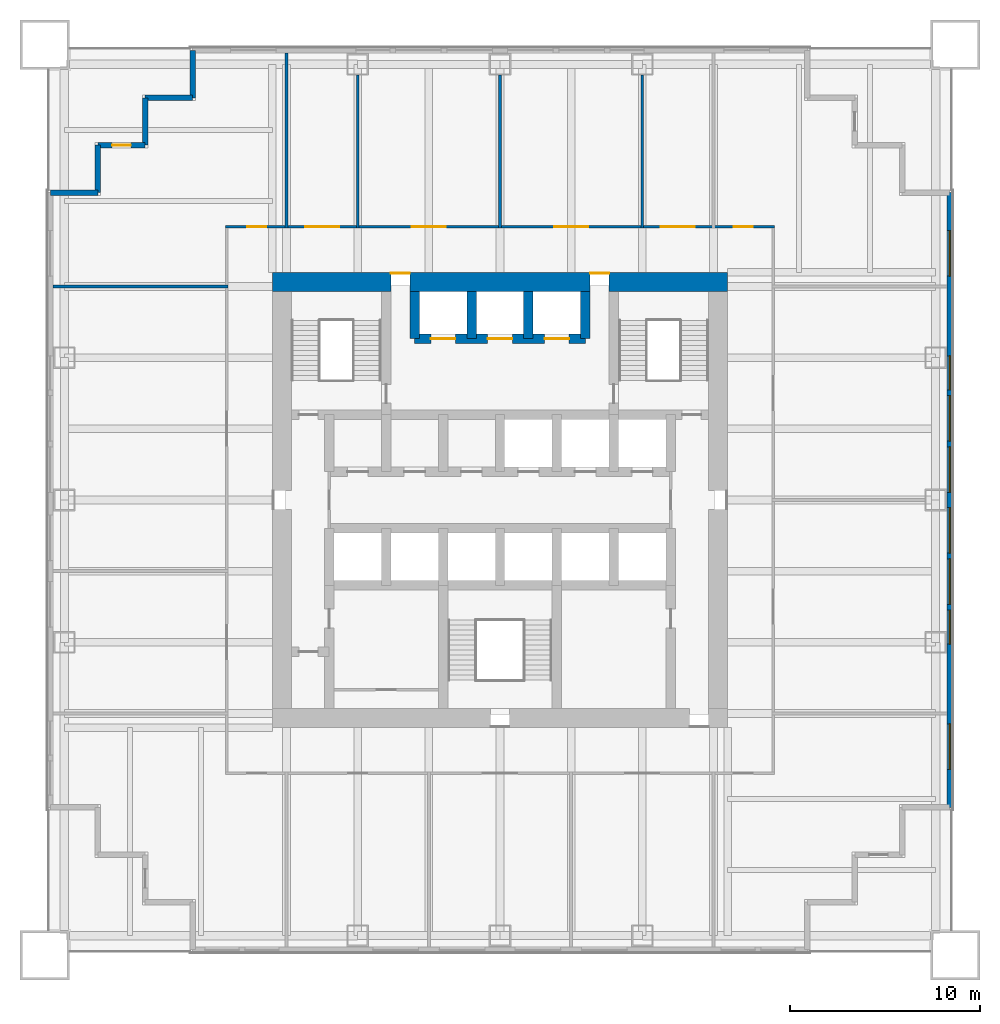
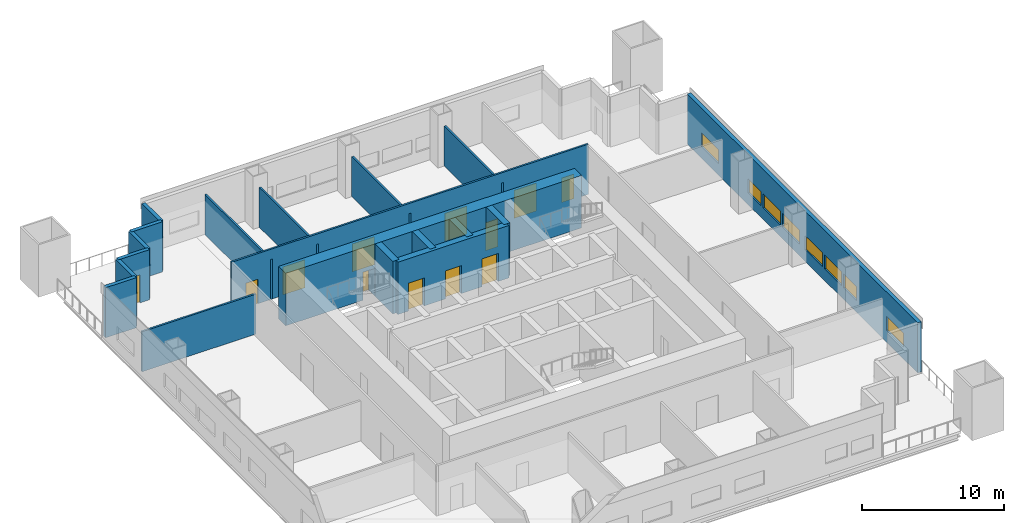
# One storey, part 4 of 6: 19 walls, 12 doors, 8 windows, 20 openings.
"""IFC4 building model written with IfcOpenShell, lengths in metres."""

from ifc_helpers import new_model, si_unit, direction, frame, frame_2d, origin, place, context, subcontext, project, spatial, rectangle, extrude, material, layer, layer_set, type_object, element, fill, save


model = new_model("IFC4")

# Units and contexts
model_context = context("Model", 3, precision=1e-05, world=origin(), true_north=direction((0.0, 1.0)))
body_context = subcontext(model_context, "Body", "Model", "MODEL_VIEW")
ifc_project = project(units=[si_unit("LENGTHUNIT", "METRE"), si_unit("AREAUNIT", "SQUARE_METRE"), si_unit("VOLUMEUNIT", "CUBIC_METRE"), si_unit("PLANEANGLEUNIT", "RADIAN"), si_unit("MASSUNIT", "GRAM", prefix="KILO")], contexts=[model_context])

# Site, building, storey
site_placement = place(None, origin())
site = spatial("IfcSite", under=ifc_project, at=site_placement, CompositionType="ELEMENT")
building_placement = place(site_placement, origin())
building = spatial("IfcBuilding", under=site, at=building_placement, Name="Tarangal Relay Tower", CompositionType="ELEMENT")
storey_placement = place(building_placement, frame((0.0, 0.0, 113.39990234375)))
storey = spatial("IfcBuildingStorey", under=building, at=storey_placement, Name="L22", CompositionType="ELEMENT", Elevation=113.39990234375)

# Wall, openings, doors
ifc_material_1 = material(Name="Concrete fc' 60 MPa", Category="concrete")
ifc_layer_1 = layer(ifc_material_1, 0.5)
ifc_layer_set_1 = layer_set([ifc_layer_1], Name="Core inner wall 500")
wall_type_1 = type_object("IfcWallType", Name="Core inner wall 500", PredefinedType="SHEAR", material=ifc_layer_set_1)
wall_1_placement = place(storey_placement, frame((-4.5, 8.5, 0.0), z_axis=(0.0, 0.0, 1.0), x_axis=(1.0, 0.0, 0.0)))
wall_1 = element("IfcWall", 1, at=wall_1_placement, inside=storey, type_object=wall_type_1, Name="Core wall Y85 L22", PredefinedType="SHEAR", context=body_context, shape_type="SweptSolid", body=[
    extrude(rectangle(XDim=9.0, YDim=0.5, at=frame_2d((4.5, 0.0))), origin(), (0.0, 0.0, 1.0), 4.5),
])
opening_1_placement = place(wall_1_placement, frame((0.85009765625, 0.0, 0.0)))
opening_1 = element("IfcOpeningElement", 2, at=opening_1_placement, cuts=wall_1, Name="Opening LD2", PredefinedType="OPENING", context=body_context, shape_type="SweptSolid", body=[
    extrude(rectangle(XDim=1.300048828125, YDim=2.39990234375, at=frame_2d((0.64990234375, 1.199951171875))), frame((0.0, 0.260009765625, 0.0), z_axis=(0.0, -1.0, 0.0), x_axis=(1.0, 0.0, 0.0)), (0.0, 0.0, 1.0), 0.52001953125),
])
opening_2_placement = place(wall_1_placement, frame((6.85009765625, 0.0, 0.0)))
opening_2 = element("IfcOpeningElement", 3, at=opening_2_placement, cuts=wall_1, Name="Opening LD2", PredefinedType="OPENING", context=body_context, shape_type="SweptSolid", body=[
    extrude(rectangle(XDim=1.300048828125, YDim=2.39990234375, at=frame_2d((0.64990234375, 1.199951171875))), frame((0.0, 0.260009765625, 0.0), z_axis=(0.0, -1.0, 0.0), x_axis=(1.0, 0.0, 0.0)), (0.0, 0.0, 1.0), 0.52001953125),
])
opening_3_placement = place(wall_1_placement, frame((3.85009765625, 0.0, 0.0)))
opening_3 = element("IfcOpeningElement", 4, at=opening_3_placement, cuts=wall_1, Name="Opening LD2", PredefinedType="OPENING", context=body_context, shape_type="SweptSolid", body=[
    extrude(rectangle(XDim=1.300048828125, YDim=2.39990234375, at=frame_2d((0.64990234375, 1.199951171875))), frame((0.0, 0.260009765625, 0.0), z_axis=(0.0, -1.0, 0.0), x_axis=(1.0, 0.0, 0.0)), (0.0, 0.0, 1.0), 0.52001953125),
])
ifc_material_2 = material(Name="Steel door with hardwood frame", Category="steel")
door_type_1 = type_object("IfcDoorType", Name="Lift landing door 1300 x 2400", OperationType="SLIDING_TO_LEFT", PredefinedType="DOOR", material=ifc_material_2)
door_1_placement = place(opening_1_placement, origin())
door_1 = element("IfcDoor", 5, at=door_1_placement, inside=storey, type_object=door_type_1, Name="Lift FF1 landing door L22", OperationType="SLIDING_TO_LEFT", OverallHeight=2.39990234375, OverallWidth=1.300048828125, PredefinedType="DOOR", context=body_context, shape_type="SweptSolid", body=[
    extrude(rectangle(XDim=1.300048828125, YDim=2.39990234375, at=frame_2d((0.64990234375, 1.199951171875))), frame((0.0, 0.02490234375, 0.0), z_axis=(0.0, -1.0, 0.0), x_axis=(1.0, 0.0, 0.0)), (0.0, 0.0, 1.0), 0.050048828125),
])
fill(opening_1, door_1)
door_2_placement = place(opening_2_placement, origin())
door_2 = element("IfcDoor", 6, at=door_2_placement, inside=storey, type_object=door_type_1, Name="Lift FF2 landing door L22", OperationType="SLIDING_TO_LEFT", OverallHeight=2.39990234375, OverallWidth=1.300048828125, PredefinedType="DOOR", context=body_context, shape_type="SweptSolid", body=[
    extrude(rectangle(XDim=1.300048828125, YDim=2.39990234375, at=frame_2d((0.64990234375, 1.199951171875))), frame((0.0, 0.02490234375, 0.0), z_axis=(0.0, -1.0, 0.0), x_axis=(1.0, 0.0, 0.0)), (0.0, 0.0, 1.0), 0.050048828125),
])
fill(opening_2, door_2)
door_3_placement = place(opening_3_placement, origin())
door_3 = element("IfcDoor", 7, at=door_3_placement, inside=storey, type_object=door_type_1, Name="Lift SV1 landing door L22", OperationType="SLIDING_TO_LEFT", OverallHeight=2.39990234375, OverallWidth=1.300048828125, PredefinedType="DOOR", context=body_context, shape_type="SweptSolid", body=[
    extrude(rectangle(XDim=1.300048828125, YDim=2.39990234375, at=frame_2d((0.64990234375, 1.199951171875))), frame((0.0, 0.02490234375, 0.0), z_axis=(0.0, -1.0, 0.0), x_axis=(1.0, 0.0, 0.0)), (0.0, 0.0, 1.0), 0.050048828125),
])
fill(opening_3, door_3)

# Walls
for number, where, z_axis, x_axis, name in (
    (8, (-4.5, 8.5, 0.0), (0.0, 0.0, 1.0), (0.0, 1.0, 0.0), "Core wall XM45 L22"),
    (9, (4.5, 8.5, 0.0), (0.0, 0.0, 1.0), (0.0, 1.0, 0.0), "Core wall X45 L22"),
    (10, (-1.5, 8.5, 0.0), (0.0, 0.0, 1.0), (0.0, 1.0, 0.0), "Core wall XM15 L22"),
    (11, (1.5, 8.5, 0.0), (0.0, 0.0, 1.0), (0.0, 1.0, 0.0), "Core wall X15 L22"),
):
    element("IfcWall", number, at=place(storey_placement, frame(where, z_axis=z_axis, x_axis=x_axis)), inside=storey, type_object=wall_type_1, Name=name, PredefinedType="SHEAR", context=body_context, shape_type="SweptSolid", body=[
        extrude(rectangle(XDim=2.5, YDim=0.5, at=frame_2d((1.25, 0.0))), origin(), (0.0, 0.0, 1.0), 4.5),
    ])

# Wall, openings, doors
ifc_layer_2 = layer(ifc_material_1, 1.0)
ifc_layer_set_2 = layer_set([ifc_layer_2], Name="Core wall 1000")
wall_type_2 = type_object("IfcWallType", Name="Core wall 1000", PredefinedType="SHEAR", material=ifc_layer_set_2)
wall_2_placement = place(storey_placement, frame((-12.0, 11.5, 0.0), z_axis=(0.0, 0.0, 1.0), x_axis=(1.0, 0.0, 0.0)))
wall_2 = element("IfcWall", 12, at=wall_2_placement, inside=storey, type_object=wall_type_2, Name="Core wall N L22", PredefinedType="SHEAR", context=body_context, shape_type="SweptSolid", body=[
    extrude(rectangle(XDim=24.0, YDim=1.0, at=frame_2d((12.0, 0.0))), origin(), (0.0, 0.0, 1.0), 4.5),
])
opening_4_placement = place(wall_2_placement, frame((6.25, 0.0, 0.0)))
opening_4 = element("IfcOpeningElement", 13, at=opening_4_placement, cuts=wall_2, Name="Opening FD3", PredefinedType="OPENING", context=body_context, shape_type="SweptSolid", body=[
    extrude(rectangle(XDim=1.0, YDim=2.39990234375, at=frame_2d((0.5, 1.199951171875))), frame((0.0, 0.510009765625, 0.0), z_axis=(0.0, -1.0, 0.0), x_axis=(1.0, 0.0, 0.0)), (0.0, 0.0, 1.0), 1.02001953125),
])
opening_5_placement = place(wall_2_placement, frame((16.75, 0.0, 0.0)))
opening_5 = element("IfcOpeningElement", 14, at=opening_5_placement, cuts=wall_2, Name="Opening FD3", PredefinedType="OPENING", context=body_context, shape_type="SweptSolid", body=[
    extrude(rectangle(XDim=1.0, YDim=2.39990234375, at=frame_2d((0.5, 1.199951171875))), frame((0.0, 0.510009765625, 0.0), z_axis=(0.0, -1.0, 0.0), x_axis=(1.0, 0.0, 0.0)), (0.0, 0.0, 1.0), 1.02001953125),
])
door_type_2 = type_object("IfcDoorType", Name="Fire door 1000 x 2400 core entry", OperationType="SINGLE_SWING_RIGHT", PredefinedType="DOOR", material=ifc_material_2)
door_4_placement = place(opening_4_placement, origin())
door_4 = element("IfcDoor", 15, at=door_4_placement, inside=storey, type_object=door_type_2, Name="Core entry door north west L22", OperationType="SINGLE_SWING_RIGHT", OverallHeight=2.39990234375, OverallWidth=1.0, PredefinedType="DOOR", context=body_context, shape_type="SweptSolid", body=[
    extrude(rectangle(XDim=1.0, YDim=2.39990234375, at=frame_2d((0.5, 1.199951171875))), frame((0.0, 0.48486328125, 0.0), z_axis=(0.0, -1.0, 0.0), x_axis=(1.0, 0.0, 0.0)), (0.0, 0.0, 1.0), 0.050048828125),
])
fill(opening_4, door_4)
door_5_placement = place(opening_5_placement, origin())
door_5 = element("IfcDoor", 16, at=door_5_placement, inside=storey, type_object=door_type_2, Name="Core entry door north east L22", OperationType="SINGLE_SWING_RIGHT", OverallHeight=2.39990234375, OverallWidth=1.0, PredefinedType="DOOR", context=body_context, shape_type="SweptSolid", body=[
    extrude(rectangle(XDim=1.0, YDim=2.39990234375, at=frame_2d((0.5, 1.199951171875))), frame((0.0, 0.48486328125, 0.0), z_axis=(0.0, -1.0, 0.0), x_axis=(1.0, 0.0, 0.0)), (0.0, 0.0, 1.0), 0.050048828125),
])
fill(opening_5, door_5)

# Wall, openings, windows
ifc_material_3 = material(Name="Insulated precast concrete fc' 40 MPa", Category="concrete")
ifc_layer_3 = layer(ifc_material_3, 0.300048828125)
ifc_layer_set_3 = layer_set([ifc_layer_3], Name="Insulated precast concrete fc' 40 MPa")
wall_type_3 = type_object("IfcWallType", Name="Facade wall precast 300", PredefinedType="SOLIDWALL", material=ifc_layer_set_3)
wall_3_placement = place(storey_placement, frame((23.699951171875, 16.199951171875, 0.0), z_axis=(0.0, 0.0, 1.0), x_axis=(0.0, -1.0, 0.0)))
wall_3 = element("IfcWall", 17, at=wall_3_placement, inside=storey, type_object=wall_type_3, Name="Facade wall E facade L22", PredefinedType="SOLIDWALL", context=body_context, shape_type="SweptSolid", body=[
    extrude(rectangle(XDim=32.39990234375, YDim=0.300048828125, at=frame_2d((16.199951171875, 0.0))), origin(), (0.0, 0.0, 1.0), 4.300048828125),
])
opening_6_placement = place(wall_3_placement, frame((2.0, 0.0, 1.0)))
opening_6 = element("IfcOpeningElement", 18, at=opening_6_placement, cuts=wall_3, Name="Opening WN1", PredefinedType="OPENING", context=body_context, shape_type="SweptSolid", body=[
    extrude(rectangle(XDim=2.39990234375, YDim=1.199951171875, at=frame_2d((1.199951171875, 0.60009765625))), frame((0.0, 0.159912109375, 0.0), z_axis=(0.0, -1.0, 0.0), x_axis=(1.0, 0.0, 0.0)), (0.0, 0.0, 1.0), 0.320068359375),
])
opening_7_placement = place(wall_3_placement, frame((8.60009765625, 0.0, 1.0)))
opening_7 = element("IfcOpeningElement", 19, at=opening_7_placement, cuts=wall_3, Name="Opening WN5", PredefinedType="OPENING", context=body_context, shape_type="SweptSolid", body=[
    extrude(rectangle(XDim=1.800048828125, YDim=1.199951171875, at=frame_2d((0.89990234375, 0.60009765625))), frame((0.0, 0.159912109375, 0.0), z_axis=(0.0, -1.0, 0.0), x_axis=(1.0, 0.0, 0.0)), (0.0, 0.0, 1.0), 0.320068359375),
])
opening_8_placement = place(wall_3_placement, frame((10.699951171875, 0.0, 1.0)))
opening_8 = element("IfcOpeningElement", 20, at=opening_8_placement, cuts=wall_3, Name="Opening WN1", PredefinedType="OPENING", context=body_context, shape_type="SweptSolid", body=[
    extrude(rectangle(XDim=2.39990234375, YDim=1.199951171875, at=frame_2d((1.199951171875, 0.60009765625))), frame((0.0, 0.159912109375, 0.0), z_axis=(0.0, -1.0, 0.0), x_axis=(1.0, 0.0, 0.0)), (0.0, 0.0, 1.0), 0.320068359375),
])
opening_9_placement = place(wall_3_placement, frame((13.39990234375, 0.0, 1.0)))
opening_9 = element("IfcOpeningElement", 21, at=opening_9_placement, cuts=wall_3, Name="Opening WN1", PredefinedType="OPENING", context=body_context, shape_type="SweptSolid", body=[
    extrude(rectangle(XDim=2.39990234375, YDim=1.199951171875, at=frame_2d((1.199951171875, 0.60009765625))), frame((0.0, 0.159912109375, 0.0), z_axis=(0.0, -1.0, 0.0), x_axis=(1.0, 0.0, 0.0)), (0.0, 0.0, 1.0), 0.320068359375),
])
opening_10_placement = place(wall_3_placement, frame((16.60009765625, 0.0, 1.0)))
opening_10 = element("IfcOpeningElement", 22, at=opening_10_placement, cuts=wall_3, Name="Opening WN1", PredefinedType="OPENING", context=body_context, shape_type="SweptSolid", body=[
    extrude(rectangle(XDim=2.39990234375, YDim=1.199951171875, at=frame_2d((1.199951171875, 0.60009765625))), frame((0.0, 0.159912109375, 0.0), z_axis=(0.0, -1.0, 0.0), x_axis=(1.0, 0.0, 0.0)), (0.0, 0.0, 1.0), 0.320068359375),
])
opening_11_placement = place(wall_3_placement, frame((19.300048828125, 0.0, 1.0)))
opening_11 = element("IfcOpeningElement", 23, at=opening_11_placement, cuts=wall_3, Name="Opening WN1", PredefinedType="OPENING", context=body_context, shape_type="SweptSolid", body=[
    extrude(rectangle(XDim=2.39990234375, YDim=1.199951171875, at=frame_2d((1.199951171875, 0.60009765625))), frame((0.0, 0.159912109375, 0.0), z_axis=(0.0, -1.0, 0.0), x_axis=(1.0, 0.0, 0.0)), (0.0, 0.0, 1.0), 0.320068359375),
])
opening_12_placement = place(wall_3_placement, frame((22.0, 0.0, 1.0)))
opening_12 = element("IfcOpeningElement", 24, at=opening_12_placement, cuts=wall_3, Name="Opening WN5", PredefinedType="OPENING", context=body_context, shape_type="SweptSolid", body=[
    extrude(rectangle(XDim=1.800048828125, YDim=1.199951171875, at=frame_2d((0.89990234375, 0.60009765625))), frame((0.0, 0.159912109375, 0.0), z_axis=(0.0, -1.0, 0.0), x_axis=(1.0, 0.0, 0.0)), (0.0, 0.0, 1.0), 0.320068359375),
])
opening_13_placement = place(wall_3_placement, frame((28.0, 0.0, 1.0)))
opening_13 = element("IfcOpeningElement", 25, at=opening_13_placement, cuts=wall_3, Name="Opening WN1", PredefinedType="OPENING", context=body_context, shape_type="SweptSolid", body=[
    extrude(rectangle(XDim=2.39990234375, YDim=1.199951171875, at=frame_2d((1.199951171875, 0.60009765625))), frame((0.0, 0.159912109375, 0.0), z_axis=(0.0, -1.0, 0.0), x_axis=(1.0, 0.0, 0.0)), (0.0, 0.0, 1.0), 0.320068359375),
])
ifc_material_4 = material(Name="Dark tinted double glazing in black aluminium frame", Category="aluminium")
window_type_1 = type_object("IfcWindowType", Name="Ribbon window 1800 x 1200", PartitioningType="SINGLE_PANEL", PredefinedType="WINDOW", material=ifc_material_4)
window_1_placement = place(opening_7_placement, origin())
window_1 = element("IfcWindow", 26, at=window_1_placement, inside=storey, type_object=window_type_1, Name="Ribbon window WN5 E facade L22", OverallHeight=1.199951171875, OverallWidth=1.800048828125, PartitioningType="SINGLE_PANEL", PredefinedType="WINDOW", context=body_context, shape_type="SweptSolid", body=[
    extrude(rectangle(XDim=1.800048828125, YDim=1.199951171875, at=frame_2d((0.89990234375, 0.60009765625))), frame((0.0, 0.030029296875, 0.0), z_axis=(0.0, -1.0, 0.0), x_axis=(1.0, 0.0, 0.0)), (0.0, 0.0, 1.0), 0.06005859375),
])
fill(opening_7, window_1)
window_2_placement = place(opening_12_placement, origin())
window_2 = element("IfcWindow", 27, at=window_2_placement, inside=storey, type_object=window_type_1, Name="Ribbon window WN5 E facade L22", OverallHeight=1.199951171875, OverallWidth=1.800048828125, PartitioningType="SINGLE_PANEL", PredefinedType="WINDOW", context=body_context, shape_type="SweptSolid", body=[
    extrude(rectangle(XDim=1.800048828125, YDim=1.199951171875, at=frame_2d((0.89990234375, 0.60009765625))), frame((0.0, 0.030029296875, 0.0), z_axis=(0.0, -1.0, 0.0), x_axis=(1.0, 0.0, 0.0)), (0.0, 0.0, 1.0), 0.06005859375),
])
fill(opening_12, window_2)
window_type_2 = type_object("IfcWindowType", Name="Ribbon window 2400 x 1200", PartitioningType="SINGLE_PANEL", PredefinedType="WINDOW", material=ifc_material_4)
window_3_placement = place(opening_6_placement, origin())
window_3 = element("IfcWindow", 28, at=window_3_placement, inside=storey, type_object=window_type_2, Name="Ribbon window WN1 E facade L22", OverallHeight=1.199951171875, OverallWidth=2.39990234375, PartitioningType="SINGLE_PANEL", PredefinedType="WINDOW", context=body_context, shape_type="SweptSolid", body=[
    extrude(rectangle(XDim=2.39990234375, YDim=1.199951171875, at=frame_2d((1.199951171875, 0.60009765625))), frame((0.0, 0.030029296875, 0.0), z_axis=(0.0, -1.0, 0.0), x_axis=(1.0, 0.0, 0.0)), (0.0, 0.0, 1.0), 0.06005859375),
])
fill(opening_6, window_3)
window_4_placement = place(opening_8_placement, origin())
window_4 = element("IfcWindow", 29, at=window_4_placement, inside=storey, type_object=window_type_2, Name="Ribbon window WN1 E facade L22", OverallHeight=1.199951171875, OverallWidth=2.39990234375, PartitioningType="SINGLE_PANEL", PredefinedType="WINDOW", context=body_context, shape_type="SweptSolid", body=[
    extrude(rectangle(XDim=2.39990234375, YDim=1.199951171875, at=frame_2d((1.199951171875, 0.60009765625))), frame((0.0, 0.030029296875, 0.0), z_axis=(0.0, -1.0, 0.0), x_axis=(1.0, 0.0, 0.0)), (0.0, 0.0, 1.0), 0.06005859375),
])
fill(opening_8, window_4)
window_5_placement = place(opening_9_placement, origin())
window_5 = element("IfcWindow", 30, at=window_5_placement, inside=storey, type_object=window_type_2, Name="Ribbon window WN1 E facade L22", OverallHeight=1.199951171875, OverallWidth=2.39990234375, PartitioningType="SINGLE_PANEL", PredefinedType="WINDOW", context=body_context, shape_type="SweptSolid", body=[
    extrude(rectangle(XDim=2.39990234375, YDim=1.199951171875, at=frame_2d((1.199951171875, 0.60009765625))), frame((0.0, 0.030029296875, 0.0), z_axis=(0.0, -1.0, 0.0), x_axis=(1.0, 0.0, 0.0)), (0.0, 0.0, 1.0), 0.06005859375),
])
fill(opening_9, window_5)
window_6_placement = place(opening_10_placement, origin())
window_6 = element("IfcWindow", 31, at=window_6_placement, inside=storey, type_object=window_type_2, Name="Ribbon window WN1 E facade L22", OverallHeight=1.199951171875, OverallWidth=2.39990234375, PartitioningType="SINGLE_PANEL", PredefinedType="WINDOW", context=body_context, shape_type="SweptSolid", body=[
    extrude(rectangle(XDim=2.39990234375, YDim=1.199951171875, at=frame_2d((1.199951171875, 0.60009765625))), frame((0.0, 0.030029296875, 0.0), z_axis=(0.0, -1.0, 0.0), x_axis=(1.0, 0.0, 0.0)), (0.0, 0.0, 1.0), 0.06005859375),
])
fill(opening_10, window_6)
window_7_placement = place(opening_11_placement, origin())
window_7 = element("IfcWindow", 32, at=window_7_placement, inside=storey, type_object=window_type_2, Name="Ribbon window WN1 E facade L22", OverallHeight=1.199951171875, OverallWidth=2.39990234375, PartitioningType="SINGLE_PANEL", PredefinedType="WINDOW", context=body_context, shape_type="SweptSolid", body=[
    extrude(rectangle(XDim=2.39990234375, YDim=1.199951171875, at=frame_2d((1.199951171875, 0.60009765625))), frame((0.0, 0.030029296875, 0.0), z_axis=(0.0, -1.0, 0.0), x_axis=(1.0, 0.0, 0.0)), (0.0, 0.0, 1.0), 0.06005859375),
])
fill(opening_11, window_7)
window_8_placement = place(opening_13_placement, origin())
window_8 = element("IfcWindow", 33, at=window_8_placement, inside=storey, type_object=window_type_2, Name="Ribbon window WN1 E facade L22", OverallHeight=1.199951171875, OverallWidth=2.39990234375, PartitioningType="SINGLE_PANEL", PredefinedType="WINDOW", context=body_context, shape_type="SweptSolid", body=[
    extrude(rectangle(XDim=2.39990234375, YDim=1.199951171875, at=frame_2d((1.199951171875, 0.60009765625))), frame((0.0, 0.030029296875, 0.0), z_axis=(0.0, -1.0, 0.0), x_axis=(1.0, 0.0, 0.0)), (0.0, 0.0, 1.0), 0.06005859375),
])
fill(opening_13, window_8)

# Walls
for number, where, z_axis, x_axis, name in (
    (34, (-23.699951171875, 16.199951171875, 0.0), (0.0, 0.0, 1.0), (1.0, 0.0, 0.0), "Facade wall W facade L22"),
    (35, (-21.199951171875, 16.199951171875, 0.0), (0.0, 0.0, 1.0), (0.0, 1.0, 0.0), "Facade wall W facade L22"),
):
    element("IfcWall", number, at=place(storey_placement, frame(where, z_axis=z_axis, x_axis=x_axis)), inside=storey, type_object=wall_type_3, Name=name, PredefinedType="SOLIDWALL", context=body_context, shape_type="SweptSolid", body=[
        extrude(rectangle(XDim=2.5, YDim=0.300048828125, at=frame_2d((1.25, 0.0))), origin(), (0.0, 0.0, 1.0), 4.300048828125),
    ])

# Wall, opening, door
wall_4_placement = place(storey_placement, frame((-21.199951171875, 18.699951171875, 0.0), z_axis=(0.0, 0.0, 1.0), x_axis=(1.0, 0.0, 0.0)))
wall_4 = element("IfcWall", 36, at=wall_4_placement, inside=storey, type_object=wall_type_3, Name="Facade wall W facade L22", PredefinedType="SOLIDWALL", context=body_context, shape_type="SweptSolid", body=[
    extrude(rectangle(XDim=2.5, YDim=0.300048828125, at=frame_2d((1.25, 0.0))), origin(), (0.0, 0.0, 1.0), 4.300048828125),
])
opening_14_placement = place(wall_4_placement, frame((0.75, 0.0, 0.0)))
opening_14 = element("IfcOpeningElement", 37, at=opening_14_placement, cuts=wall_4, Name="Opening TD1", PredefinedType="OPENING", context=body_context, shape_type="SweptSolid", body=[
    extrude(rectangle(XDim=1.0, YDim=2.39990234375, at=frame_2d((0.5, 1.199951171875))), frame((0.0, 0.159912109375, 0.0), z_axis=(0.0, -1.0, 0.0), x_axis=(1.0, 0.0, 0.0)), (0.0, 0.0, 1.0), 0.320068359375),
])
ifc_material_5 = material(Name="Aluminium glazed door", Category="aluminium")
door_type_3 = type_object("IfcDoorType", Name="Terrace door 1000 x 2400", OperationType="SINGLE_SWING_RIGHT", PredefinedType="DOOR", material=ifc_material_5)
door_6_placement = place(opening_14_placement, origin())
door_6 = element("IfcDoor", 38, at=door_6_placement, inside=storey, type_object=door_type_3, Name="Terrace door TD1 NW L22", OperationType="SINGLE_SWING_RIGHT", OverallHeight=2.39990234375, OverallWidth=1.0, PredefinedType="DOOR", context=body_context, shape_type="SweptSolid", body=[
    extrude(rectangle(XDim=1.0, YDim=2.39990234375, at=frame_2d((0.5, 1.199951171875))), frame((0.0, 0.02490234375, 0.0), z_axis=(0.0, -1.0, 0.0), x_axis=(1.0, 0.0, 0.0)), (0.0, 0.0, 1.0), 0.050048828125),
])
fill(opening_14, door_6)

# Walls
for number, where, z_axis, x_axis, name in (
    (39, (-18.699951171875, 18.699951171875, 0.0), (0.0, 0.0, 1.0), (0.0, 1.0, 0.0), "Facade wall W facade L22"),
    (40, (-18.699951171875, 21.199951171875, 0.0), (0.0, 0.0, 1.0), (1.0, 0.0, 0.0), "Facade wall W facade L22"),
    (41, (-16.199951171875, 21.199951171875, 0.0), (0.0, 0.0, 1.0), (0.0, 1.0, 0.0), "Facade wall W facade L22"),
):
    element("IfcWall", number, at=place(storey_placement, frame(where, z_axis=z_axis, x_axis=x_axis)), inside=storey, type_object=wall_type_3, Name=name, PredefinedType="SOLIDWALL", context=body_context, shape_type="SweptSolid", body=[
        extrude(rectangle(XDim=2.5, YDim=0.300048828125, at=frame_2d((1.25, 0.0))), origin(), (0.0, 0.0, 1.0), 4.300048828125),
    ])
ifc_material_6 = material(Name="Gypsum board on steel studs", Category="steel")
ifc_layer_4 = layer(ifc_material_6, 0.14990234375)
ifc_layer_set_4 = layer_set([ifc_layer_4], Name="Partition 150")
wall_type_4 = type_object("IfcWallType", Name="Partition 150", PredefinedType="PARTITIONING", material=ifc_layer_set_4)
wall_5_placement = place(storey_placement, frame((-23.550048828125, 11.25, 0.0), z_axis=(0.0, 0.0, 1.0), x_axis=(1.0, 0.0, 0.0)))
element("IfcWall", 42, at=wall_5_placement, inside=storey, type_object=wall_type_4, Name="Partition PT1 L22", PredefinedType="PARTITIONING", context=body_context, shape_type="SweptSolid", body=[
    extrude(rectangle(XDim=9.22509765625, YDim=0.14990234375, at=frame_2d((4.612548828125, 0.0))), origin(), (0.0, 0.0, 1.0), 3.431396484375),
])

# Wall, openings, doors
wall_6_placement = place(storey_placement, frame((-14.47509765625, 14.39990234375, 0.0), z_axis=(0.0, 0.0, 1.0), x_axis=(1.0, 0.0, 0.0)))
wall_6 = element("IfcWall", 43, at=wall_6_placement, inside=storey, type_object=wall_type_4, Name="Partition PT1 L22", PredefinedType="PARTITIONING", context=body_context, shape_type="SweptSolid", body=[
    extrude(rectangle(XDim=28.9501953125, YDim=0.14990234375, at=frame_2d((14.47509765625, 0.0))), origin(), (0.0, 0.0, 1.0), 4.300048828125),
])
opening_15_placement = place(wall_6_placement, frame((4.199951171875, 0.0, 0.0)))
opening_15 = element("IfcOpeningElement", 44, at=opening_15_placement, cuts=wall_6, Name="Opening DD1", PredefinedType="OPENING", context=body_context, shape_type="SweptSolid", body=[
    extrude(rectangle(XDim=1.800048828125, YDim=2.39990234375, at=frame_2d((0.89990234375, 1.199951171875))), frame((0.0, 0.0849609375, 0.0), z_axis=(0.0, -1.0, 0.0), x_axis=(1.0, 0.0, 0.0)), (0.0, 0.0, 1.0), 0.169921875),
])
opening_16_placement = place(wall_6_placement, frame((9.824951171875, 0.0, 0.0)))
opening_16 = element("IfcOpeningElement", 45, at=opening_16_placement, cuts=wall_6, Name="Opening DD1", PredefinedType="OPENING", context=body_context, shape_type="SweptSolid", body=[
    extrude(rectangle(XDim=1.800048828125, YDim=2.39990234375, at=frame_2d((0.89990234375, 1.199951171875))), frame((0.0, 0.0849609375, 0.0), z_axis=(0.0, -1.0, 0.0), x_axis=(1.0, 0.0, 0.0)), (0.0, 0.0, 1.0), 0.169921875),
])
opening_17_placement = place(wall_6_placement, frame((17.324951171875, 0.0, 0.0)))
opening_17 = element("IfcOpeningElement", 46, at=opening_17_placement, cuts=wall_6, Name="Opening DD1", PredefinedType="OPENING", context=body_context, shape_type="SweptSolid", body=[
    extrude(rectangle(XDim=1.800048828125, YDim=2.39990234375, at=frame_2d((0.89990234375, 1.199951171875))), frame((0.0, 0.0849609375, 0.0), z_axis=(0.0, -1.0, 0.0), x_axis=(1.0, 0.0, 0.0)), (0.0, 0.0, 1.0), 0.169921875),
])
opening_18_placement = place(wall_6_placement, frame((22.949951171875, 0.0, 0.0)))
opening_18 = element("IfcOpeningElement", 47, at=opening_18_placement, cuts=wall_6, Name="Opening DD1", PredefinedType="OPENING", context=body_context, shape_type="SweptSolid", body=[
    extrude(rectangle(XDim=1.800048828125, YDim=2.39990234375, at=frame_2d((0.89990234375, 1.199951171875))), frame((0.0, 0.0849609375, 0.0), z_axis=(0.0, -1.0, 0.0), x_axis=(1.0, 0.0, 0.0)), (0.0, 0.0, 1.0), 0.169921875),
])
opening_19_placement = place(wall_6_placement, frame((26.800048828125, 0.0, 0.0)))
opening_19 = element("IfcOpeningElement", 48, at=opening_19_placement, cuts=wall_6, Name="Opening D2", PredefinedType="OPENING", context=body_context, shape_type="SweptSolid", body=[
    extrude(rectangle(XDim=1.0, YDim=2.10009765625, at=frame_2d((0.5, 1.050048828125))), frame((0.0, 0.0849609375, 0.0), z_axis=(0.0, -1.0, 0.0), x_axis=(1.0, 0.0, 0.0)), (0.0, 0.0, 1.0), 0.169921875),
])
opening_20_placement = place(wall_6_placement, frame((1.14990234375, 0.0, 0.0)))
opening_20 = element("IfcOpeningElement", 49, at=opening_20_placement, cuts=wall_6, Name="Opening D2", PredefinedType="OPENING", context=body_context, shape_type="SweptSolid", body=[
    extrude(rectangle(XDim=1.0, YDim=2.10009765625, at=frame_2d((0.5, 1.050048828125))), frame((0.0, 0.0849609375, 0.0), z_axis=(0.0, -1.0, 0.0), x_axis=(1.0, 0.0, 0.0)), (0.0, 0.0, 1.0), 0.169921875),
])
ifc_material_7 = material(Name="Hardwood door", Category="wood")
door_type_4 = type_object("IfcDoorType", Name="Door 1000 x 2100", OperationType="SINGLE_SWING_LEFT", PredefinedType="DOOR", material=ifc_material_7)
door_7_placement = place(opening_19_placement, origin())
door_7 = element("IfcDoor", 50, at=door_7_placement, inside=storey, type_object=door_type_4, Name="Door D2 to carrier staff office L22-13", OperationType="SINGLE_SWING_LEFT", OverallHeight=2.10009765625, OverallWidth=1.0, PredefinedType="DOOR", context=body_context, shape_type="SweptSolid", body=[
    extrude(rectangle(XDim=1.0, YDim=2.10009765625, at=frame_2d((0.5, 1.050048828125))), frame((0.0, 0.02490234375, 0.0), z_axis=(0.0, -1.0, 0.0), x_axis=(1.0, 0.0, 0.0)), (0.0, 0.0, 1.0), 0.050048828125),
])
fill(opening_19, door_7)
door_8_placement = place(opening_20_placement, origin())
door_8 = element("IfcDoor", 51, at=door_8_placement, inside=storey, type_object=door_type_4, Name="Door D2 to engineering office L22-16", OperationType="SINGLE_SWING_LEFT", OverallHeight=2.10009765625, OverallWidth=1.0, PredefinedType="DOOR", context=body_context, shape_type="SweptSolid", body=[
    extrude(rectangle(XDim=1.0, YDim=2.10009765625, at=frame_2d((0.5, 1.050048828125))), frame((0.0, 0.02490234375, 0.0), z_axis=(0.0, -1.0, 0.0), x_axis=(1.0, 0.0, 0.0)), (0.0, 0.0, 1.0), 0.050048828125),
])
fill(opening_20, door_8)
door_type_5 = type_object("IfcDoorType", Name="Equipment double door 1800 x 2400", OperationType="DOUBLE_DOOR_SINGLE_SWING", PredefinedType="DOOR", material=ifc_material_2)
door_9_placement = place(opening_15_placement, origin())
door_9 = element("IfcDoor", 52, at=door_9_placement, inside=storey, type_object=door_type_5, Name="Door DD1 to carrier equipment room L22-02", OperationType="DOUBLE_DOOR_SINGLE_SWING", OverallHeight=2.39990234375, OverallWidth=1.800048828125, PredefinedType="DOOR", context=body_context, shape_type="SweptSolid", body=[
    extrude(rectangle(XDim=1.800048828125, YDim=2.39990234375, at=frame_2d((0.89990234375, 1.199951171875))), frame((0.0, 0.02490234375, 0.0), z_axis=(0.0, -1.0, 0.0), x_axis=(1.0, 0.0, 0.0)), (0.0, 0.0, 1.0), 0.050048828125),
])
fill(opening_15, door_9)
door_10_placement = place(opening_16_placement, origin())
door_10 = element("IfcDoor", 53, at=door_10_placement, inside=storey, type_object=door_type_5, Name="Door DD1 to carrier equipment room L22-03", OperationType="DOUBLE_DOOR_SINGLE_SWING", OverallHeight=2.39990234375, OverallWidth=1.800048828125, PredefinedType="DOOR", context=body_context, shape_type="SweptSolid", body=[
    extrude(rectangle(XDim=1.800048828125, YDim=2.39990234375, at=frame_2d((0.89990234375, 1.199951171875))), frame((0.0, 0.02490234375, 0.0), z_axis=(0.0, -1.0, 0.0), x_axis=(1.0, 0.0, 0.0)), (0.0, 0.0, 1.0), 0.050048828125),
])
fill(opening_16, door_10)
door_11_placement = place(opening_17_placement, origin())
door_11 = element("IfcDoor", 54, at=door_11_placement, inside=storey, type_object=door_type_5, Name="Door DD1 to carrier equipment room L22-04", OperationType="DOUBLE_DOOR_SINGLE_SWING", OverallHeight=2.39990234375, OverallWidth=1.800048828125, PredefinedType="DOOR", context=body_context, shape_type="SweptSolid", body=[
    extrude(rectangle(XDim=1.800048828125, YDim=2.39990234375, at=frame_2d((0.89990234375, 1.199951171875))), frame((0.0, 0.02490234375, 0.0), z_axis=(0.0, -1.0, 0.0), x_axis=(1.0, 0.0, 0.0)), (0.0, 0.0, 1.0), 0.050048828125),
])
fill(opening_17, door_11)
door_12_placement = place(opening_18_placement, origin())
door_12 = element("IfcDoor", 55, at=door_12_placement, inside=storey, type_object=door_type_5, Name="Door DD1 to carrier equipment room L22-05", OperationType="DOUBLE_DOOR_SINGLE_SWING", OverallHeight=2.39990234375, OverallWidth=1.800048828125, PredefinedType="DOOR", context=body_context, shape_type="SweptSolid", body=[
    extrude(rectangle(XDim=1.800048828125, YDim=2.39990234375, at=frame_2d((0.89990234375, 1.199951171875))), frame((0.0, 0.02490234375, 0.0), z_axis=(0.0, -1.0, 0.0), x_axis=(1.0, 0.0, 0.0)), (0.0, 0.0, 1.0), 0.050048828125),
])
fill(opening_18, door_12)

# Walls
wall_7_placement = place(storey_placement, frame((-11.25, 14.324951171875, 0.0), z_axis=(0.0, 0.0, 1.0), x_axis=(0.0, 1.0, 0.0)))
element("IfcWall", 56, at=wall_7_placement, inside=storey, type_object=wall_type_4, Name="Partition PT1 L22", PredefinedType="PARTITIONING", context=body_context, shape_type="SweptSolid", body=[
    extrude(rectangle(XDim=9.22509765625, YDim=0.14990234375, at=frame_2d((4.612548828125, 0.0))), origin(), (0.0, 0.0, 1.0), 3.431396484375),
])
for number, where, z_axis, x_axis, name in (
    (57, (-7.5, 14.324951171875, 0.0), (0.0, 0.0, 1.0), (0.0, 1.0, 0.0), "Partition PT1 L22"),
    (58, (0.0, 14.324951171875, 0.0), (0.0, 0.0, 1.0), (0.0, 1.0, 0.0), "Partition PT1 L22"),
    (59, (7.5, 14.324951171875, 0.0), (0.0, 0.0, 1.0), (0.0, 1.0, 0.0), "Partition PT1 L22"),
):
    element("IfcWall", number, at=place(storey_placement, frame(where, z_axis=z_axis, x_axis=x_axis)), inside=storey, type_object=wall_type_4, Name=name, PredefinedType="PARTITIONING", context=body_context, shape_type="SweptSolid", body=[
        extrude(rectangle(XDim=8.06494140625, YDim=0.14990234375, at=frame_2d((4.032470703125, 0.0))), origin(), (0.0, 0.0, 1.0), 3.431396484375),
    ])

save(model, "model.ifc")
